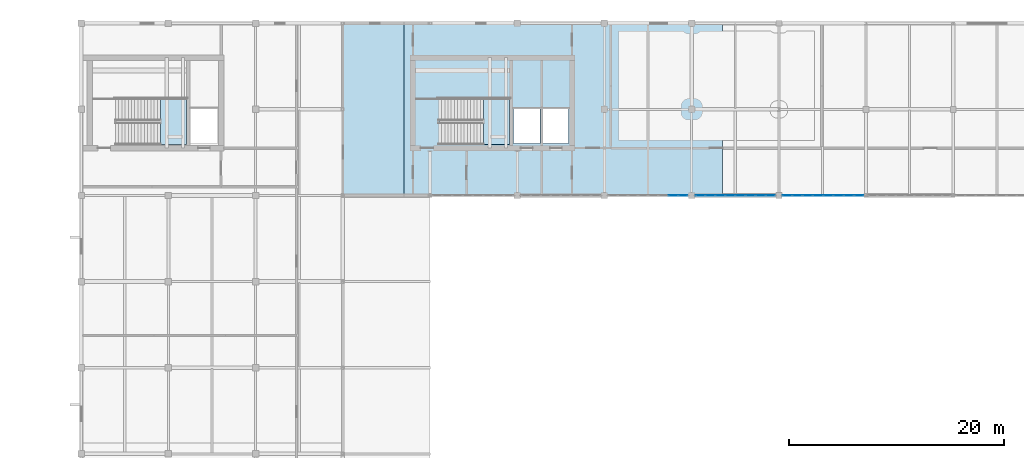
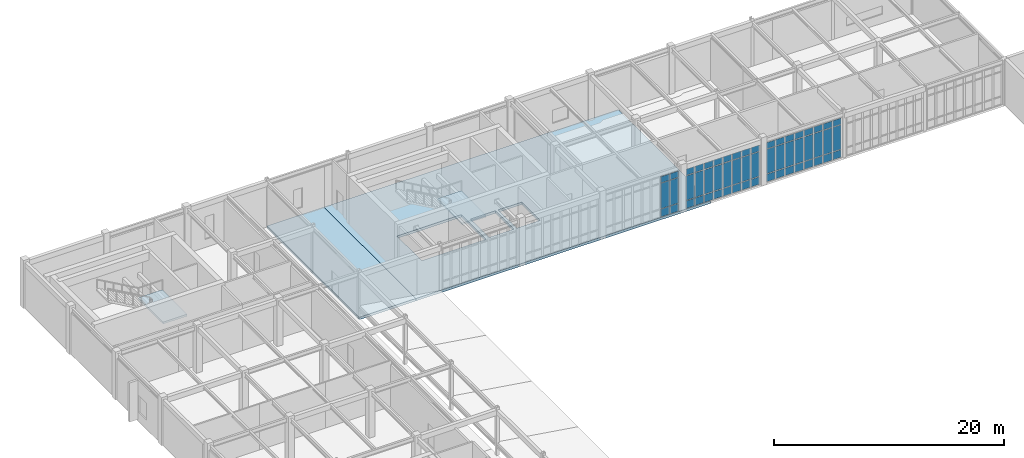
# One storey, part 48 of 70: 54 plates, 4 slabs, 5 elements without a shape of their own.
"""IFC4 building model written with IfcOpenShell, lengths in metres."""

from ifc_helpers import new_model, si_unit, direction, frame, origin, origin_2d, place, context, subcontext, project, spatial, polyline, rectangle, outline, extrude, material, layer, layer_set, type_object, element, aggregate, save


model = new_model("IFC4")

# Units and contexts
model_context = context("Model", 3, precision=1e-05, world=origin(), true_north=direction((0.0, 1.0)))
body_context = subcontext(model_context, "Body", "Model", "MODEL_VIEW")
ifc_project = project(units=[si_unit("LENGTHUNIT", "METRE"), si_unit("AREAUNIT", "SQUARE_METRE"), si_unit("VOLUMEUNIT", "CUBIC_METRE"), si_unit("PLANEANGLEUNIT", "RADIAN"), si_unit("MASSUNIT", "GRAM", prefix="KILO")], contexts=[model_context])

# Site, building, storey
site_placement = place(None, origin())
site = spatial("IfcSite", under=ifc_project, at=site_placement, CompositionType="ELEMENT")
building_placement = place(site_placement, origin())
building = spatial("IfcBuilding", under=site, at=building_placement, Name="Tarnveldt Square Police Headquarters", CompositionType="ELEMENT")
storey_placement = place(building_placement, frame((0.0, 0.0, 19.800048828125)))
storey = spatial("IfcBuildingStorey", under=building, at=storey_placement, Name="L04", CompositionType="ELEMENT", Elevation=19.800048828125)

# Curtain wall, plates
ifc_material_1 = material(Name="Triple-glazed low-e laminated vision glass", Category="glass")
curtain_wall_type_1 = type_object("IfcCurtainWallType", Name="CW-LB-747x439", PredefinedType="USERDEFINED", material=ifc_material_1)
curtain_wall_1_placement = place(storey_placement, origin())
curtain_wall_1 = element("IfcCurtainWall", 1, at=curtain_wall_1_placement, inside=storey, type_object=curtain_wall_type_1, Name="L04 Curtain Wall CW-L04-128", ObjectType="GLAZED CURTAIN WALL", PredefinedType="USERDEFINED")
ifc_layer_1 = layer(ifc_material_1, 0.028076171875)
ifc_layer_set_1 = layer_set([ifc_layer_1], Name="Triple-glazed low-e laminated vision glass")
plate_type = type_object("IfcPlateType", Name="CWP-VIS-28", PredefinedType="CURTAIN_PANEL", material=ifc_layer_set_1)
plate_1_placement = place(storey_placement, frame((71.184326171875, 96.0, 0.06494140625), z_axis=(0.0, 0.0, 1.0), x_axis=(1.0, 0.0, 0.0)))
plate_1 = element("IfcPlate", 2, at=plate_1_placement, type_object=plate_type, Name="CW-LB77 panel 7.1", PredefinedType="CURTAIN_PANEL", context=body_context, shape_type="SweptSolid", body=[
    extrude(rectangle(XDim=0.858642578125, YDim=0.028076171875, at=origin_2d()), origin(), (0.0, 0.0, 1.0), 0.802490234375),
])
plate_2_placement = place(storey_placement, frame((71.184326171875, 96.0, 0.9326171875), z_axis=(0.0, 0.0, 1.0), x_axis=(1.0, 0.0, 0.0)))
plate_2 = element("IfcPlate", 3, at=plate_2_placement, type_object=plate_type, Name="CW-LB77 panel 7.2", PredefinedType="CURTAIN_PANEL", context=body_context, shape_type="SweptSolid", body=[
    extrude(rectangle(XDim=0.858642578125, YDim=0.028076171875, at=origin_2d()), origin(), (0.0, 0.0, 1.0), 2.674072265625),
])
plate_3_placement = place(storey_placement, frame((71.184326171875, 96.0, 3.67138671875), z_axis=(0.0, 0.0, 1.0), x_axis=(1.0, 0.0, 0.0)))
plate_3 = element("IfcPlate", 4, at=plate_3_placement, type_object=plate_type, Name="CW-LB77 panel 7.3", PredefinedType="CURTAIN_PANEL", context=body_context, shape_type="SweptSolid", body=[
    extrude(rectangle(XDim=0.858642578125, YDim=0.028076171875, at=origin_2d()), origin(), (0.0, 0.0, 1.0), 0.652587890625),
])
plate_4_placement = place(storey_placement, frame((72.099365234375, 96.0, 0.06494140625), z_axis=(0.0, 0.0, 1.0), x_axis=(1.0, 0.0, 0.0)))
plate_4 = element("IfcPlate", 5, at=plate_4_placement, type_object=plate_type, Name="CW-LB77 panel 8.1", PredefinedType="CURTAIN_PANEL", context=body_context, shape_type="SweptSolid", body=[
    extrude(rectangle(XDim=0.8212890625, YDim=0.028076171875, at=origin_2d()), origin(), (0.0, 0.0, 1.0), 0.802490234375),
])
plate_5_placement = place(storey_placement, frame((72.099365234375, 96.0, 0.9326171875), z_axis=(0.0, 0.0, 1.0), x_axis=(1.0, 0.0, 0.0)))
plate_5 = element("IfcPlate", 6, at=plate_5_placement, type_object=plate_type, Name="CW-LB77 panel 8.2", PredefinedType="CURTAIN_PANEL", context=body_context, shape_type="SweptSolid", body=[
    extrude(rectangle(XDim=0.8212890625, YDim=0.028076171875, at=origin_2d()), origin(), (0.0, 0.0, 1.0), 2.674072265625),
])
plate_6_placement = place(storey_placement, frame((72.099365234375, 96.0, 3.67138671875), z_axis=(0.0, 0.0, 1.0), x_axis=(1.0, 0.0, 0.0)))
plate_6 = element("IfcPlate", 7, at=plate_6_placement, type_object=plate_type, Name="CW-LB77 panel 8.3", PredefinedType="CURTAIN_PANEL", context=body_context, shape_type="SweptSolid", body=[
    extrude(rectangle(XDim=0.8212890625, YDim=0.028076171875, at=origin_2d()), origin(), (0.0, 0.0, 1.0), 0.652587890625),
])
aggregate(curtain_wall_1, [plate_1, plate_2, plate_3, plate_4, plate_5, plate_6])

curtain_wall_type_2 = type_object("IfcCurtainWallType", Name="CW-LB-749x430", PredefinedType="USERDEFINED", material=ifc_material_1)
curtain_wall_2_placement = place(storey_placement, origin())
curtain_wall_2 = element("IfcCurtainWall", 8, at=curtain_wall_2_placement, inside=storey, type_object=curtain_wall_type_2, Name="L04 Curtain Wall CW-L04-129", ObjectType="GLAZED CURTAIN WALL", PredefinedType="USERDEFINED")
plate_7_placement = place(storey_placement, frame((73.7021484375, 96.0, 0.06494140625), z_axis=(0.0, 0.0, 1.0), x_axis=(1.0, 0.0, 0.0)))
plate_7 = element("IfcPlate", 9, at=plate_7_placement, type_object=plate_type, Name="CW-LB73 panel 1.1", PredefinedType="CURTAIN_PANEL", context=body_context, shape_type="SweptSolid", body=[
    extrude(rectangle(XDim=0.824462890625, YDim=0.028076171875, at=origin_2d()), origin(), (0.0, 0.0, 1.0), 0.802490234375),
])
plate_8_placement = place(storey_placement, frame((73.7021484375, 96.0, 0.932373046875), z_axis=(0.0, 0.0, 1.0), x_axis=(1.0, 0.0, 0.0)))
plate_8 = element("IfcPlate", 10, at=plate_8_placement, type_object=plate_type, Name="CW-LB73 panel 1.2", PredefinedType="CURTAIN_PANEL", context=body_context, shape_type="SweptSolid", body=[
    extrude(rectangle(XDim=0.824462890625, YDim=0.028076171875, at=origin_2d()), origin(), (0.0, 0.0, 1.0), 2.5869140625),
])
plate_9_placement = place(storey_placement, frame((73.7021484375, 96.0, 3.58447265625), z_axis=(0.0, 0.0, 1.0), x_axis=(1.0, 0.0, 0.0)))
plate_9 = element("IfcPlate", 11, at=plate_9_placement, type_object=plate_type, Name="CW-LB73 panel 1.3", PredefinedType="CURTAIN_PANEL", context=body_context, shape_type="SweptSolid", body=[
    extrude(rectangle(XDim=0.824462890625, YDim=0.028076171875, at=origin_2d()), origin(), (0.0, 0.0, 1.0), 0.652587890625),
])
plate_10_placement = place(storey_placement, frame((74.620361328125, 96.0, 0.06494140625), z_axis=(0.0, 0.0, 1.0), x_axis=(1.0, 0.0, 0.0)))
plate_10 = element("IfcPlate", 12, at=plate_10_placement, type_object=plate_type, Name="CW-LB73 panel 2.1", PredefinedType="CURTAIN_PANEL", context=body_context, shape_type="SweptSolid", body=[
    extrude(rectangle(XDim=0.86181640625, YDim=0.028076171875, at=origin_2d()), origin(), (0.0, 0.0, 1.0), 0.802490234375),
])
plate_11_placement = place(storey_placement, frame((74.620361328125, 96.0, 0.932373046875), z_axis=(0.0, 0.0, 1.0), x_axis=(1.0, 0.0, 0.0)))
plate_11 = element("IfcPlate", 13, at=plate_11_placement, type_object=plate_type, Name="CW-LB73 panel 2.2", PredefinedType="CURTAIN_PANEL", context=body_context, shape_type="SweptSolid", body=[
    extrude(rectangle(XDim=0.86181640625, YDim=0.028076171875, at=origin_2d()), origin(), (0.0, 0.0, 1.0), 2.5869140625),
])
plate_12_placement = place(storey_placement, frame((74.620361328125, 96.0, 3.58447265625), z_axis=(0.0, 0.0, 1.0), x_axis=(1.0, 0.0, 0.0)))
plate_12 = element("IfcPlate", 14, at=plate_12_placement, type_object=plate_type, Name="CW-LB73 panel 2.3", PredefinedType="CURTAIN_PANEL", context=body_context, shape_type="SweptSolid", body=[
    extrude(rectangle(XDim=0.86181640625, YDim=0.028076171875, at=origin_2d()), origin(), (0.0, 0.0, 1.0), 0.652587890625),
])
plate_13_placement = place(storey_placement, frame((75.55712890625, 96.0, 0.06494140625), z_axis=(0.0, 0.0, 1.0), x_axis=(1.0, 0.0, 0.0)))
plate_13 = element("IfcPlate", 15, at=plate_13_placement, type_object=plate_type, Name="CW-LB73 panel 3.1", PredefinedType="CURTAIN_PANEL", context=body_context, shape_type="SweptSolid", body=[
    extrude(rectangle(XDim=0.86181640625, YDim=0.028076171875, at=origin_2d()), origin(), (0.0, 0.0, 1.0), 0.802490234375),
])
plate_14_placement = place(storey_placement, frame((75.55712890625, 96.0, 0.932373046875), z_axis=(0.0, 0.0, 1.0), x_axis=(1.0, 0.0, 0.0)))
plate_14 = element("IfcPlate", 16, at=plate_14_placement, type_object=plate_type, Name="CW-LB73 panel 3.2", PredefinedType="CURTAIN_PANEL", context=body_context, shape_type="SweptSolid", body=[
    extrude(rectangle(XDim=0.86181640625, YDim=0.028076171875, at=origin_2d()), origin(), (0.0, 0.0, 1.0), 2.5869140625),
])
plate_15_placement = place(storey_placement, frame((75.55712890625, 96.0, 3.58447265625), z_axis=(0.0, 0.0, 1.0), x_axis=(1.0, 0.0, 0.0)))
plate_15 = element("IfcPlate", 17, at=plate_15_placement, type_object=plate_type, Name="CW-LB73 panel 3.3", PredefinedType="CURTAIN_PANEL", context=body_context, shape_type="SweptSolid", body=[
    extrude(rectangle(XDim=0.86181640625, YDim=0.028076171875, at=origin_2d()), origin(), (0.0, 0.0, 1.0), 0.652587890625),
])
plate_16_placement = place(storey_placement, frame((76.494140625, 96.0, 0.06494140625), z_axis=(0.0, 0.0, 1.0), x_axis=(1.0, 0.0, 0.0)))
plate_16 = element("IfcPlate", 18, at=plate_16_placement, type_object=plate_type, Name="CW-LB73 panel 4.1", PredefinedType="CURTAIN_PANEL", context=body_context, shape_type="SweptSolid", body=[
    extrude(rectangle(XDim=0.86181640625, YDim=0.028076171875, at=origin_2d()), origin(), (0.0, 0.0, 1.0), 0.802490234375),
])
plate_17_placement = place(storey_placement, frame((76.494140625, 96.0, 0.932373046875), z_axis=(0.0, 0.0, 1.0), x_axis=(1.0, 0.0, 0.0)))
plate_17 = element("IfcPlate", 19, at=plate_17_placement, type_object=plate_type, Name="CW-LB73 panel 4.2", PredefinedType="CURTAIN_PANEL", context=body_context, shape_type="SweptSolid", body=[
    extrude(rectangle(XDim=0.86181640625, YDim=0.028076171875, at=origin_2d()), origin(), (0.0, 0.0, 1.0), 2.5869140625),
])
plate_18_placement = place(storey_placement, frame((76.494140625, 96.0, 3.58447265625), z_axis=(0.0, 0.0, 1.0), x_axis=(1.0, 0.0, 0.0)))
plate_18 = element("IfcPlate", 20, at=plate_18_placement, type_object=plate_type, Name="CW-LB73 panel 4.3", PredefinedType="CURTAIN_PANEL", context=body_context, shape_type="SweptSolid", body=[
    extrude(rectangle(XDim=0.86181640625, YDim=0.028076171875, at=origin_2d()), origin(), (0.0, 0.0, 1.0), 0.652587890625),
])
plate_19_placement = place(storey_placement, frame((77.430908203125, 96.0, 0.06494140625), z_axis=(0.0, 0.0, 1.0), x_axis=(1.0, 0.0, 0.0)))
plate_19 = element("IfcPlate", 21, at=plate_19_placement, type_object=plate_type, Name="CW-LB73 panel 5.1", PredefinedType="CURTAIN_PANEL", context=body_context, shape_type="SweptSolid", body=[
    extrude(rectangle(XDim=0.86181640625, YDim=0.028076171875, at=origin_2d()), origin(), (0.0, 0.0, 1.0), 0.802490234375),
])
plate_20_placement = place(storey_placement, frame((77.430908203125, 96.0, 0.932373046875), z_axis=(0.0, 0.0, 1.0), x_axis=(1.0, 0.0, 0.0)))
plate_20 = element("IfcPlate", 22, at=plate_20_placement, type_object=plate_type, Name="CW-LB73 panel 5.2", PredefinedType="CURTAIN_PANEL", context=body_context, shape_type="SweptSolid", body=[
    extrude(rectangle(XDim=0.86181640625, YDim=0.028076171875, at=origin_2d()), origin(), (0.0, 0.0, 1.0), 2.5869140625),
])
plate_21_placement = place(storey_placement, frame((77.430908203125, 96.0, 3.58447265625), z_axis=(0.0, 0.0, 1.0), x_axis=(1.0, 0.0, 0.0)))
plate_21 = element("IfcPlate", 23, at=plate_21_placement, type_object=plate_type, Name="CW-LB73 panel 5.3", PredefinedType="CURTAIN_PANEL", context=body_context, shape_type="SweptSolid", body=[
    extrude(rectangle(XDim=0.86181640625, YDim=0.028076171875, at=origin_2d()), origin(), (0.0, 0.0, 1.0), 0.652587890625),
])
plate_22_placement = place(storey_placement, frame((78.367919921875, 96.0, 0.06494140625), z_axis=(0.0, 0.0, 1.0), x_axis=(1.0, 0.0, 0.0)))
plate_22 = element("IfcPlate", 24, at=plate_22_placement, type_object=plate_type, Name="CW-LB73 panel 6.1", PredefinedType="CURTAIN_PANEL", context=body_context, shape_type="SweptSolid", body=[
    extrude(rectangle(XDim=0.86181640625, YDim=0.028076171875, at=origin_2d()), origin(), (0.0, 0.0, 1.0), 0.802490234375),
])
plate_23_placement = place(storey_placement, frame((78.367919921875, 96.0, 0.932373046875), z_axis=(0.0, 0.0, 1.0), x_axis=(1.0, 0.0, 0.0)))
plate_23 = element("IfcPlate", 25, at=plate_23_placement, type_object=plate_type, Name="CW-LB73 panel 6.2", PredefinedType="CURTAIN_PANEL", context=body_context, shape_type="SweptSolid", body=[
    extrude(rectangle(XDim=0.86181640625, YDim=0.028076171875, at=origin_2d()), origin(), (0.0, 0.0, 1.0), 2.5869140625),
])
plate_24_placement = place(storey_placement, frame((78.367919921875, 96.0, 3.58447265625), z_axis=(0.0, 0.0, 1.0), x_axis=(1.0, 0.0, 0.0)))
plate_24 = element("IfcPlate", 26, at=plate_24_placement, type_object=plate_type, Name="CW-LB73 panel 6.3", PredefinedType="CURTAIN_PANEL", context=body_context, shape_type="SweptSolid", body=[
    extrude(rectangle(XDim=0.86181640625, YDim=0.028076171875, at=origin_2d()), origin(), (0.0, 0.0, 1.0), 0.652587890625),
])
plate_25_placement = place(storey_placement, frame((79.3046875, 96.0, 0.06494140625), z_axis=(0.0, 0.0, 1.0), x_axis=(1.0, 0.0, 0.0)))
plate_25 = element("IfcPlate", 27, at=plate_25_placement, type_object=plate_type, Name="CW-LB73 panel 7.1", PredefinedType="CURTAIN_PANEL", context=body_context, shape_type="SweptSolid", body=[
    extrude(rectangle(XDim=0.86181640625, YDim=0.028076171875, at=origin_2d()), origin(), (0.0, 0.0, 1.0), 0.802490234375),
])
plate_26_placement = place(storey_placement, frame((79.3046875, 96.0, 0.932373046875), z_axis=(0.0, 0.0, 1.0), x_axis=(1.0, 0.0, 0.0)))
plate_26 = element("IfcPlate", 28, at=plate_26_placement, type_object=plate_type, Name="CW-LB73 panel 7.2", PredefinedType="CURTAIN_PANEL", context=body_context, shape_type="SweptSolid", body=[
    extrude(rectangle(XDim=0.86181640625, YDim=0.028076171875, at=origin_2d()), origin(), (0.0, 0.0, 1.0), 2.5869140625),
])
plate_27_placement = place(storey_placement, frame((79.3046875, 96.0, 3.58447265625), z_axis=(0.0, 0.0, 1.0), x_axis=(1.0, 0.0, 0.0)))
plate_27 = element("IfcPlate", 29, at=plate_27_placement, type_object=plate_type, Name="CW-LB73 panel 7.3", PredefinedType="CURTAIN_PANEL", context=body_context, shape_type="SweptSolid", body=[
    extrude(rectangle(XDim=0.86181640625, YDim=0.028076171875, at=origin_2d()), origin(), (0.0, 0.0, 1.0), 0.652587890625),
])
plate_28_placement = place(storey_placement, frame((80.222900390625, 96.0, 0.06494140625), z_axis=(0.0, 0.0, 1.0), x_axis=(1.0, 0.0, 0.0)))
plate_28 = element("IfcPlate", 30, at=plate_28_placement, type_object=plate_type, Name="CW-LB73 panel 8.1", PredefinedType="CURTAIN_PANEL", context=body_context, shape_type="SweptSolid", body=[
    extrude(rectangle(XDim=0.824462890625, YDim=0.028076171875, at=origin_2d()), origin(), (0.0, 0.0, 1.0), 0.802490234375),
])
plate_29_placement = place(storey_placement, frame((80.222900390625, 96.0, 0.932373046875), z_axis=(0.0, 0.0, 1.0), x_axis=(1.0, 0.0, 0.0)))
plate_29 = element("IfcPlate", 31, at=plate_29_placement, type_object=plate_type, Name="CW-LB73 panel 8.2", PredefinedType="CURTAIN_PANEL", context=body_context, shape_type="SweptSolid", body=[
    extrude(rectangle(XDim=0.824462890625, YDim=0.028076171875, at=origin_2d()), origin(), (0.0, 0.0, 1.0), 2.5869140625),
])
plate_30_placement = place(storey_placement, frame((80.222900390625, 96.0, 3.58447265625), z_axis=(0.0, 0.0, 1.0), x_axis=(1.0, 0.0, 0.0)))
plate_30 = element("IfcPlate", 32, at=plate_30_placement, type_object=plate_type, Name="CW-LB73 panel 8.3", PredefinedType="CURTAIN_PANEL", context=body_context, shape_type="SweptSolid", body=[
    extrude(rectangle(XDim=0.824462890625, YDim=0.028076171875, at=origin_2d()), origin(), (0.0, 0.0, 1.0), 0.652587890625),
])
aggregate(curtain_wall_2, [plate_7, plate_8, plate_9, plate_10, plate_11, plate_12, plate_13, plate_14, plate_15, plate_16, plate_17, plate_18, plate_19, plate_20, plate_21, plate_22, plate_23, plate_24, plate_25, plate_26, plate_27, plate_28, plate_29, plate_30])

curtain_wall_type_3 = type_object("IfcCurtainWallType", Name="CW-LB-764x429", PredefinedType="USERDEFINED", material=ifc_material_1)
curtain_wall_3_placement = place(storey_placement, origin())
curtain_wall_3 = element("IfcCurtainWall", 33, at=curtain_wall_3_placement, inside=storey, type_object=curtain_wall_type_3, Name="L04 Curtain Wall CW-L04-130", ObjectType="GLAZED CURTAIN WALL", PredefinedType="USERDEFINED")
plate_31_placement = place(storey_placement, frame((81.786376953125, 96.0, 0.06494140625), z_axis=(0.0, 0.0, 1.0), x_axis=(1.0, 0.0, 0.0)))
plate_31 = element("IfcPlate", 34, at=plate_31_placement, type_object=plate_type, Name="CW-LB78 panel 1.1", PredefinedType="CURTAIN_PANEL", context=body_context, shape_type="SweptSolid", body=[
    extrude(rectangle(XDim=0.842529296875, YDim=0.028076171875, at=origin_2d()), origin(), (0.0, 0.0, 1.0), 0.802490234375),
])
plate_32_placement = place(storey_placement, frame((81.786376953125, 96.0, 0.9326171875), z_axis=(0.0, 0.0, 1.0), x_axis=(1.0, 0.0, 0.0)))
plate_32 = element("IfcPlate", 35, at=plate_32_placement, type_object=plate_type, Name="CW-LB78 panel 1.2", PredefinedType="CURTAIN_PANEL", context=body_context, shape_type="SweptSolid", body=[
    extrude(rectangle(XDim=0.842529296875, YDim=0.028076171875, at=origin_2d()), origin(), (0.0, 0.0, 1.0), 2.573974609375),
])
plate_33_placement = place(storey_placement, frame((81.786376953125, 96.0, 3.5712890625), z_axis=(0.0, 0.0, 1.0), x_axis=(1.0, 0.0, 0.0)))
plate_33 = element("IfcPlate", 36, at=plate_33_placement, type_object=plate_type, Name="CW-LB78 panel 1.3", PredefinedType="CURTAIN_PANEL", context=body_context, shape_type="SweptSolid", body=[
    extrude(rectangle(XDim=0.842529296875, YDim=0.028076171875, at=origin_2d()), origin(), (0.0, 0.0, 1.0), 0.652587890625),
])
plate_34_placement = place(storey_placement, frame((82.72265625, 96.0, 0.06494140625), z_axis=(0.0, 0.0, 1.0), x_axis=(1.0, 0.0, 0.0)))
plate_34 = element("IfcPlate", 37, at=plate_34_placement, type_object=plate_type, Name="CW-LB78 panel 2.1", PredefinedType="CURTAIN_PANEL", context=body_context, shape_type="SweptSolid", body=[
    extrude(rectangle(XDim=0.880126953125, YDim=0.028076171875, at=origin_2d()), origin(), (0.0, 0.0, 1.0), 0.802490234375),
])
plate_35_placement = place(storey_placement, frame((82.72265625, 96.0, 0.9326171875), z_axis=(0.0, 0.0, 1.0), x_axis=(1.0, 0.0, 0.0)))
plate_35 = element("IfcPlate", 38, at=plate_35_placement, type_object=plate_type, Name="CW-LB78 panel 2.2", PredefinedType="CURTAIN_PANEL", context=body_context, shape_type="SweptSolid", body=[
    extrude(rectangle(XDim=0.880126953125, YDim=0.028076171875, at=origin_2d()), origin(), (0.0, 0.0, 1.0), 2.573974609375),
])
plate_36_placement = place(storey_placement, frame((82.72265625, 96.0, 3.5712890625), z_axis=(0.0, 0.0, 1.0), x_axis=(1.0, 0.0, 0.0)))
plate_36 = element("IfcPlate", 39, at=plate_36_placement, type_object=plate_type, Name="CW-LB78 panel 2.3", PredefinedType="CURTAIN_PANEL", context=body_context, shape_type="SweptSolid", body=[
    extrude(rectangle(XDim=0.880126953125, YDim=0.028076171875, at=origin_2d()), origin(), (0.0, 0.0, 1.0), 0.652587890625),
])
plate_37_placement = place(storey_placement, frame((83.677734375, 96.0, 0.06494140625), z_axis=(0.0, 0.0, 1.0), x_axis=(1.0, 0.0, 0.0)))
plate_37 = element("IfcPlate", 40, at=plate_37_placement, type_object=plate_type, Name="CW-LB78 panel 3.1", PredefinedType="CURTAIN_PANEL", context=body_context, shape_type="SweptSolid", body=[
    extrude(rectangle(XDim=0.880126953125, YDim=0.028076171875, at=origin_2d()), origin(), (0.0, 0.0, 1.0), 0.802490234375),
])
plate_38_placement = place(storey_placement, frame((83.677734375, 96.0, 0.9326171875), z_axis=(0.0, 0.0, 1.0), x_axis=(1.0, 0.0, 0.0)))
plate_38 = element("IfcPlate", 41, at=plate_38_placement, type_object=plate_type, Name="CW-LB78 panel 3.2", PredefinedType="CURTAIN_PANEL", context=body_context, shape_type="SweptSolid", body=[
    extrude(rectangle(XDim=0.880126953125, YDim=0.028076171875, at=origin_2d()), origin(), (0.0, 0.0, 1.0), 2.573974609375),
])
plate_39_placement = place(storey_placement, frame((83.677734375, 96.0, 3.5712890625), z_axis=(0.0, 0.0, 1.0), x_axis=(1.0, 0.0, 0.0)))
plate_39 = element("IfcPlate", 42, at=plate_39_placement, type_object=plate_type, Name="CW-LB78 panel 3.3", PredefinedType="CURTAIN_PANEL", context=body_context, shape_type="SweptSolid", body=[
    extrude(rectangle(XDim=0.880126953125, YDim=0.028076171875, at=origin_2d()), origin(), (0.0, 0.0, 1.0), 0.652587890625),
])
plate_40_placement = place(storey_placement, frame((84.633056640625, 96.0, 0.06494140625), z_axis=(0.0, 0.0, 1.0), x_axis=(1.0, 0.0, 0.0)))
plate_40 = element("IfcPlate", 43, at=plate_40_placement, type_object=plate_type, Name="CW-LB78 panel 4.1", PredefinedType="CURTAIN_PANEL", context=body_context, shape_type="SweptSolid", body=[
    extrude(rectangle(XDim=0.880126953125, YDim=0.028076171875, at=origin_2d()), origin(), (0.0, 0.0, 1.0), 0.802490234375),
])
plate_41_placement = place(storey_placement, frame((84.633056640625, 96.0, 0.9326171875), z_axis=(0.0, 0.0, 1.0), x_axis=(1.0, 0.0, 0.0)))
plate_41 = element("IfcPlate", 44, at=plate_41_placement, type_object=plate_type, Name="CW-LB78 panel 4.2", PredefinedType="CURTAIN_PANEL", context=body_context, shape_type="SweptSolid", body=[
    extrude(rectangle(XDim=0.880126953125, YDim=0.028076171875, at=origin_2d()), origin(), (0.0, 0.0, 1.0), 2.573974609375),
])
plate_42_placement = place(storey_placement, frame((84.633056640625, 96.0, 3.5712890625), z_axis=(0.0, 0.0, 1.0), x_axis=(1.0, 0.0, 0.0)))
plate_42 = element("IfcPlate", 45, at=plate_42_placement, type_object=plate_type, Name="CW-LB78 panel 4.3", PredefinedType="CURTAIN_PANEL", context=body_context, shape_type="SweptSolid", body=[
    extrude(rectangle(XDim=0.880126953125, YDim=0.028076171875, at=origin_2d()), origin(), (0.0, 0.0, 1.0), 0.652587890625),
])
plate_43_placement = place(storey_placement, frame((85.588134765625, 96.0, 0.06494140625), z_axis=(0.0, 0.0, 1.0), x_axis=(1.0, 0.0, 0.0)))
plate_43 = element("IfcPlate", 46, at=plate_43_placement, type_object=plate_type, Name="CW-LB78 panel 5.1", PredefinedType="CURTAIN_PANEL", context=body_context, shape_type="SweptSolid", body=[
    extrude(rectangle(XDim=0.880126953125, YDim=0.028076171875, at=origin_2d()), origin(), (0.0, 0.0, 1.0), 0.802490234375),
])
plate_44_placement = place(storey_placement, frame((85.588134765625, 96.0, 0.9326171875), z_axis=(0.0, 0.0, 1.0), x_axis=(1.0, 0.0, 0.0)))
plate_44 = element("IfcPlate", 47, at=plate_44_placement, type_object=plate_type, Name="CW-LB78 panel 5.2", PredefinedType="CURTAIN_PANEL", context=body_context, shape_type="SweptSolid", body=[
    extrude(rectangle(XDim=0.880126953125, YDim=0.028076171875, at=origin_2d()), origin(), (0.0, 0.0, 1.0), 2.573974609375),
])
plate_45_placement = place(storey_placement, frame((85.588134765625, 96.0, 3.5712890625), z_axis=(0.0, 0.0, 1.0), x_axis=(1.0, 0.0, 0.0)))
plate_45 = element("IfcPlate", 48, at=plate_45_placement, type_object=plate_type, Name="CW-LB78 panel 5.3", PredefinedType="CURTAIN_PANEL", context=body_context, shape_type="SweptSolid", body=[
    extrude(rectangle(XDim=0.880126953125, YDim=0.028076171875, at=origin_2d()), origin(), (0.0, 0.0, 1.0), 0.652587890625),
])
plate_46_placement = place(storey_placement, frame((86.543212890625, 96.0, 0.06494140625), z_axis=(0.0, 0.0, 1.0), x_axis=(1.0, 0.0, 0.0)))
plate_46 = element("IfcPlate", 49, at=plate_46_placement, type_object=plate_type, Name="CW-LB78 panel 6.1", PredefinedType="CURTAIN_PANEL", context=body_context, shape_type="SweptSolid", body=[
    extrude(rectangle(XDim=0.880126953125, YDim=0.028076171875, at=origin_2d()), origin(), (0.0, 0.0, 1.0), 0.802490234375),
])
plate_47_placement = place(storey_placement, frame((86.543212890625, 96.0, 0.9326171875), z_axis=(0.0, 0.0, 1.0), x_axis=(1.0, 0.0, 0.0)))
plate_47 = element("IfcPlate", 50, at=plate_47_placement, type_object=plate_type, Name="CW-LB78 panel 6.2", PredefinedType="CURTAIN_PANEL", context=body_context, shape_type="SweptSolid", body=[
    extrude(rectangle(XDim=0.880126953125, YDim=0.028076171875, at=origin_2d()), origin(), (0.0, 0.0, 1.0), 2.573974609375),
])
plate_48_placement = place(storey_placement, frame((86.543212890625, 96.0, 3.5712890625), z_axis=(0.0, 0.0, 1.0), x_axis=(1.0, 0.0, 0.0)))
plate_48 = element("IfcPlate", 51, at=plate_48_placement, type_object=plate_type, Name="CW-LB78 panel 6.3", PredefinedType="CURTAIN_PANEL", context=body_context, shape_type="SweptSolid", body=[
    extrude(rectangle(XDim=0.880126953125, YDim=0.028076171875, at=origin_2d()), origin(), (0.0, 0.0, 1.0), 0.652587890625),
])
plate_49_placement = place(storey_placement, frame((87.498291015625, 96.0, 0.06494140625), z_axis=(0.0, 0.0, 1.0), x_axis=(1.0, 0.0, 0.0)))
plate_49 = element("IfcPlate", 52, at=plate_49_placement, type_object=plate_type, Name="CW-LB78 panel 7.1", PredefinedType="CURTAIN_PANEL", context=body_context, shape_type="SweptSolid", body=[
    extrude(rectangle(XDim=0.880126953125, YDim=0.028076171875, at=origin_2d()), origin(), (0.0, 0.0, 1.0), 0.802490234375),
])
plate_50_placement = place(storey_placement, frame((87.498291015625, 96.0, 0.9326171875), z_axis=(0.0, 0.0, 1.0), x_axis=(1.0, 0.0, 0.0)))
plate_50 = element("IfcPlate", 53, at=plate_50_placement, type_object=plate_type, Name="CW-LB78 panel 7.2", PredefinedType="CURTAIN_PANEL", context=body_context, shape_type="SweptSolid", body=[
    extrude(rectangle(XDim=0.880126953125, YDim=0.028076171875, at=origin_2d()), origin(), (0.0, 0.0, 1.0), 2.573974609375),
])
plate_51_placement = place(storey_placement, frame((87.498291015625, 96.0, 3.5712890625), z_axis=(0.0, 0.0, 1.0), x_axis=(1.0, 0.0, 0.0)))
plate_51 = element("IfcPlate", 54, at=plate_51_placement, type_object=plate_type, Name="CW-LB78 panel 7.3", PredefinedType="CURTAIN_PANEL", context=body_context, shape_type="SweptSolid", body=[
    extrude(rectangle(XDim=0.880126953125, YDim=0.028076171875, at=origin_2d()), origin(), (0.0, 0.0, 1.0), 0.652587890625),
])
plate_52_placement = place(storey_placement, frame((88.4345703125, 96.0, 0.06494140625), z_axis=(0.0, 0.0, 1.0), x_axis=(1.0, 0.0, 0.0)))
plate_52 = element("IfcPlate", 55, at=plate_52_placement, type_object=plate_type, Name="CW-LB78 panel 8.1", PredefinedType="CURTAIN_PANEL", context=body_context, shape_type="SweptSolid", body=[
    extrude(rectangle(XDim=0.842529296875, YDim=0.028076171875, at=origin_2d()), origin(), (0.0, 0.0, 1.0), 0.802490234375),
])
plate_53_placement = place(storey_placement, frame((88.4345703125, 96.0, 0.9326171875), z_axis=(0.0, 0.0, 1.0), x_axis=(1.0, 0.0, 0.0)))
plate_53 = element("IfcPlate", 56, at=plate_53_placement, type_object=plate_type, Name="CW-LB78 panel 8.2", PredefinedType="CURTAIN_PANEL", context=body_context, shape_type="SweptSolid", body=[
    extrude(rectangle(XDim=0.842529296875, YDim=0.028076171875, at=origin_2d()), origin(), (0.0, 0.0, 1.0), 2.573974609375),
])
plate_54_placement = place(storey_placement, frame((88.4345703125, 96.0, 3.5712890625), z_axis=(0.0, 0.0, 1.0), x_axis=(1.0, 0.0, 0.0)))
plate_54 = element("IfcPlate", 57, at=plate_54_placement, type_object=plate_type, Name="CW-LB78 panel 8.3", PredefinedType="CURTAIN_PANEL", context=body_context, shape_type="SweptSolid", body=[
    extrude(rectangle(XDim=0.842529296875, YDim=0.028076171875, at=origin_2d()), origin(), (0.0, 0.0, 1.0), 0.652587890625),
])
aggregate(curtain_wall_3, [plate_31, plate_32, plate_33, plate_34, plate_35, plate_36, plate_37, plate_38, plate_39, plate_40, plate_41, plate_42, plate_43, plate_44, plate_45, plate_46, plate_47, plate_48, plate_49, plate_50, plate_51, plate_52, plate_53, plate_54])

# Stair, slab
ifc_material_2 = material(Name="Concrete 40 MPa", Category="concrete")
stair_type = type_object("IfcStairType", Name="STR-HT-48A", PredefinedType="HALF_TURN_STAIR", material=ifc_material_2)
stair_1_placement = place(storey_placement, origin())
stair_1 = element("IfcStair", 58, at=stair_1_placement, inside=storey, type_object=stair_type, Name="L04 Core K2 Exit Stair ST2", PredefinedType="HALF_TURN_STAIR")
ifc_layer_2 = layer(ifc_material_2, 0.179931640625)
ifc_layer_set_2 = layer_set([ifc_layer_2], Name="Concrete 40 MPa")
slab_type_1 = type_object("IfcSlabType", Name="SL-LND-180", PredefinedType="LANDING", material=ifc_layer_set_2)
slab_1_placement = place(storey_placement, frame((0.0, 0.0, 2.349853515625)))
slab_1 = element("IfcSlab", 59, at=slab_1_placement, type_object=slab_type_1, Name="ST2 landing 1", PredefinedType="LANDING", context=body_context, shape_type="SweptSolid", body=[
    extrude(outline(polyline([(23.570068359375, 100.719970703125), (25.969970703125, 100.719970703125), (25.969970703125, 105.02001953125), (23.570068359375, 105.02001953125), (23.570068359375, 100.719970703125)])), origin(), (0.0, 0.0, 1.0), 0.2001953125),
])
aggregate(stair_1, [slab_1])

stair_2_placement = place(storey_placement, origin())
stair_2 = element("IfcStair", 60, at=stair_2_placement, inside=storey, type_object=stair_type, Name="L04 Core K3 Exit Stair ST3", PredefinedType="HALF_TURN_STAIR")
slab_2_placement = place(storey_placement, frame((0.0, 0.0, 2.349853515625)))
slab_2 = element("IfcSlab", 61, at=slab_2_placement, type_object=slab_type_1, Name="ST3 landing 1", PredefinedType="LANDING", context=body_context, shape_type="SweptSolid", body=[
    extrude(outline(polyline([(53.570068359375, 100.719970703125), (55.969970703125, 100.719970703125), (55.969970703125, 105.02001953125), (53.570068359375, 105.02001953125), (53.570068359375, 100.719970703125)])), origin(), (0.0, 0.0, 1.0), 0.2001953125),
])
aggregate(stair_2, [slab_2])

# Slabs
ifc_layer_3 = layer(ifc_material_2, 0.260009765625)
ifc_layer_set_3 = layer_set([ifc_layer_3], Name="Concrete 40 MPa")
slab_type_2 = type_object("IfcSlabType", Name="SL-MID-260", PredefinedType="FLOOR", material=ifc_layer_set_3)
slab_3_placement = place(storey_placement, frame((0.0, 0.0, -0.260009765625)))
element("IfcSlab", 62, at=slab_3_placement, inside=storey, type_object=slab_type_2, Name="L04 Structural Floor Slab L04-V6-1", PredefinedType="FLOOR", context=body_context, shape_type="SweptSolid", body=[
    extrude(outline(polyline([(75.75, 112.0), (75.75, 96.0), (46.199951171875, 96.0), (46.199951171875, 112.0), (75.75, 112.0)]), holes=[polyline([(56.330078125, 100.85009765625), (58.8349609375, 100.85009765625), (58.8349609375, 104.050048828125), (56.330078125, 104.050048828125), (56.330078125, 100.85009765625)]), polyline([(59.114990234375, 104.050048828125), (59.114990234375, 100.85009765625), (61.47998046875, 100.85009765625), (61.47998046875, 104.050048828125), (59.114990234375, 104.050048828125)]), polyline([(49.510009765625, 105.02001953125), (49.510009765625, 100.719970703125), (55.969970703125, 100.719970703125), (55.969970703125, 105.02001953125), (49.510009765625, 105.02001953125)])]), origin(), (0.0, 0.0, 1.0), 0.260009765625),
])
slab_4_placement = place(storey_placement, frame((0.0, 0.0, -0.260009765625)))
element("IfcSlab", 63, at=slab_4_placement, inside=storey, type_object=slab_type_2, Name="L04 Structural Floor Slab L04-V5E-1", PredefinedType="FLOOR", context=body_context, shape_type="SweptSolid", body=[
    extrude(outline(polyline([(40.5, 96.0), (40.5, 112.0), (46.199951171875, 112.0), (46.199951171875, 96.0), (40.5, 96.0)])), origin(), (0.0, 0.0, 1.0), 0.260009765625),
])

save(model, "model.ifc")
